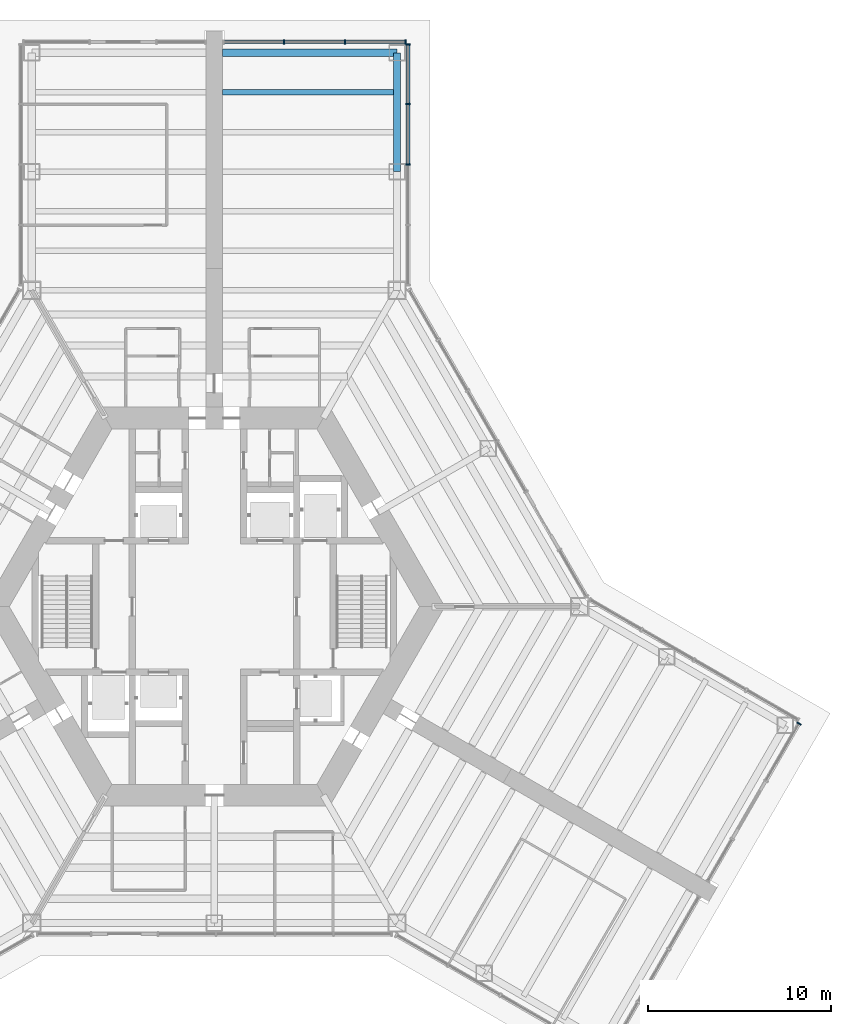
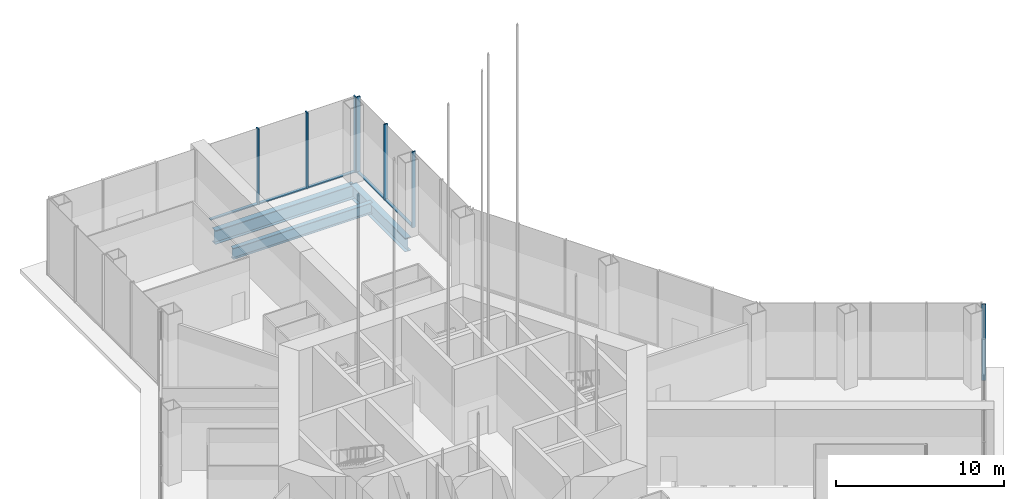
# One storey, part 7 of 18: 12 members, 3 beams, 3 elements without a shape of their own.
"""IFC4 building model written with IfcOpenShell, lengths in metres."""

from ifc_helpers import new_model, si_unit, direction, frame, origin, origin_2d, place, context, subcontext, project, spatial, rectangle, i_section, extrude, material, material_profile, profile_set, type_object, element, aggregate, save


model = new_model("IFC4")

# Units and contexts
model_context = context("Model", 3, precision=1e-05, world=origin(), true_north=direction((0.0, 1.0)))
body_context = subcontext(model_context, "Body", "Model", "MODEL_VIEW")
ifc_project = project(units=[si_unit("LENGTHUNIT", "METRE"), si_unit("AREAUNIT", "SQUARE_METRE"), si_unit("VOLUMEUNIT", "CUBIC_METRE"), si_unit("PLANEANGLEUNIT", "RADIAN"), si_unit("MASSUNIT", "GRAM", prefix="KILO")], contexts=[model_context])

# Site, building, storey
site_placement = place(None, origin())
site = spatial("IfcSite", under=ifc_project, at=site_placement, CompositionType="ELEMENT")
building_placement = place(site_placement, origin())
building = spatial("IfcBuilding", under=site, at=building_placement, Name="Kasaneha Research Tower", CompositionType="ELEMENT")
storey_placement = place(building_placement, origin())
storey = spatial("IfcBuildingStorey", under=building, at=storey_placement, Name="L01", CompositionType="ELEMENT", Elevation=0.0)

# Beam
ifc_material_1 = material(Name="Steel SN490B", Category="steel")
ifc_material_profile_1 = material_profile(ifc_material_1, i_section(OverallWidth=0.300048828125, OverallDepth=0.800048828125, WebThickness=0.013916015625, FlangeThickness=0.02587890625, FilletRadius=0.01806640625, at=origin_2d()), Name="H-800x300x14x26")
ifc_profile_set_1 = profile_set([ifc_material_profile_1], Name="Steel SN490B")
beam_type_1 = type_object("IfcBeamType", Name="B2-0 secondary beam H-800x300x14x26", PredefinedType="JOIST", material=ifc_profile_set_1)
beam_1_placement = place(storey_placement, frame((10.0, 28.15380859375, -0.699951171875), z_axis=(-1.0, 0.0, 0.0), x_axis=(0.0, -1.0, 0.0)))
element("IfcBeam", 1, at=beam_1_placement, inside=storey, type_object=beam_type_1, Name="Secondary beam WBAP4 L01", PredefinedType="JOIST", context=body_context, shape_type="SweptSolid", body=[
    extrude(i_section(OverallWidth=0.300048828125, OverallDepth=0.800048828125, WebThickness=0.013916015625, FlangeThickness=0.02587890625, FilletRadius=0.01806640625, at=origin_2d()), origin(), (0.0, 0.0, 1.0), 9.550048828125),
])

# Curtain wall, member
ifc_material_2 = material(Name="Glass and aluminium", Category="aluminium")
curtain_wall_type = type_object("IfcCurtainWallType", Name="Entrance hall curtain wall", PredefinedType="USERDEFINED", material=ifc_material_2)
curtain_wall_1_placement = place(storey_placement, origin())
curtain_wall_1 = element("IfcCurtainWall", 2, at=curtain_wall_1_placement, inside=storey, type_object=curtain_wall_type, Name="CW-H L01 run 05c", ObjectType="UNITISED CURTAIN WALL", PredefinedType="USERDEFINED")
ifc_material_3 = material(Name="Aluminium 6063-T6", Category="aluminium")
ifc_material_profile_2 = material_profile(ifc_material_3, rectangle(XDim=0.080078125, YDim=0.25, at=origin_2d()), Name="CW-H mullion 80x250")
ifc_profile_set_2 = profile_set([ifc_material_profile_2], Name="Aluminium 6063-T6")
member_type_1 = type_object("IfcMemberType", Name="CW-H mullion", PredefinedType="MULLION", material=ifc_profile_set_2)
member_1_placement = place(storey_placement, frame((32.008056640625, -6.401611328125, 0.0), z_axis=(0.0, 0.0, 1.0), x_axis=(0.500000011442, 0.866025397178, 0.0)))
member_1 = element("IfcMember", 3, at=member_1_placement, type_object=member_type_1, Name="CW-H mullion 2", PredefinedType="MULLION", context=body_context, shape_type="SweptSolid", body=[
    extrude(rectangle(XDim=0.080078125, YDim=0.25, at=origin_2d()), origin(), (0.0, 0.0, 1.0), 5.5),
])
aggregate(curtain_wall_1, [member_1])

# Curtain wall, members
curtain_wall_2_placement = place(storey_placement, origin())
curtain_wall_2 = element("IfcCurtainWall", 4, at=curtain_wall_2_placement, inside=storey, type_object=curtain_wall_type, Name="CW-H L01 run 08a", ObjectType="UNITISED CURTAIN WALL", PredefinedType="USERDEFINED")
member_2_placement = place(storey_placement, frame((10.60009765625, 24.200927734375, 0.0), z_axis=(0.0, 0.0, 1.0), x_axis=(0.0, 1.0, 0.0)))
member_2 = element("IfcMember", 5, at=member_2_placement, type_object=member_type_1, Name="CW-H mullion 3", PredefinedType="MULLION", context=body_context, shape_type="SweptSolid", body=[
    extrude(rectangle(XDim=0.080078125, YDim=0.25, at=origin_2d()), origin(), (0.0, 0.0, 1.0), 5.5),
])
member_3_placement = place(storey_placement, frame((10.60009765625, 27.5107421875, 0.0), z_axis=(0.0, 0.0, 1.0), x_axis=(0.0, 1.0, 0.0)))
member_3 = element("IfcMember", 6, at=member_3_placement, type_object=member_type_1, Name="CW-H mullion 4", PredefinedType="MULLION", context=body_context, shape_type="SweptSolid", body=[
    extrude(rectangle(XDim=0.080078125, YDim=0.25, at=origin_2d()), origin(), (0.0, 0.0, 1.0), 5.5),
])
member_4_placement = place(storey_placement, frame((10.60009765625, 30.780517578125, 0.0), z_axis=(0.0, 0.0, 1.0), x_axis=(0.0, 1.0, 0.0)))
member_4 = element("IfcMember", 7, at=member_4_placement, type_object=member_type_1, Name="CW-H mullion 5", PredefinedType="MULLION", context=body_context, shape_type="SweptSolid", body=[
    extrude(rectangle(XDim=0.080078125, YDim=0.25, at=origin_2d()), origin(), (0.0, 0.0, 1.0), 5.5),
])

curtain_wall_3_placement = place(storey_placement, origin())
curtain_wall_3 = element("IfcCurtainWall", 8, at=curtain_wall_3_placement, inside=storey, type_object=curtain_wall_type, Name="CW-H L01 run 09a", ObjectType="UNITISED CURTAIN WALL", PredefinedType="USERDEFINED")
member_5_placement = place(storey_placement, frame((10.4599609375, 30.92041015625, 0.0), z_axis=(0.0, 0.0, 1.0), x_axis=(-1.0, 0.0, 0.0)))
member_5 = element("IfcMember", 9, at=member_5_placement, type_object=member_type_1, Name="CW-H mullion 1", PredefinedType="MULLION", context=body_context, shape_type="SweptSolid", body=[
    extrude(rectangle(XDim=0.080078125, YDim=0.25, at=origin_2d()), origin(), (0.0, 0.0, 1.0), 5.5),
])
member_6_placement = place(storey_placement, frame((7.14990234375, 30.92041015625, 0.0), z_axis=(0.0, 0.0, 1.0), x_axis=(-1.0, 0.0, 0.0)))
member_6 = element("IfcMember", 10, at=member_6_placement, type_object=member_type_1, Name="CW-H mullion 2", PredefinedType="MULLION", context=body_context, shape_type="SweptSolid", body=[
    extrude(rectangle(XDim=0.080078125, YDim=0.25, at=origin_2d()), origin(), (0.0, 0.0, 1.0), 5.5),
])
member_7_placement = place(storey_placement, frame((3.800048828125, 30.92041015625, 0.0), z_axis=(0.0, 0.0, 1.0), x_axis=(-1.0, 0.0, 0.0)))
member_7 = element("IfcMember", 11, at=member_7_placement, type_object=member_type_1, Name="CW-H mullion 3", PredefinedType="MULLION", context=body_context, shape_type="SweptSolid", body=[
    extrude(rectangle(XDim=0.080078125, YDim=0.25, at=origin_2d()), origin(), (0.0, 0.0, 1.0), 5.5),
])

# Member
ifc_material_4 = material(Name="Aluminium 6063-T6", Category="aluminium")
ifc_material_profile_3 = material_profile(ifc_material_4, rectangle(XDim=0.199951171875, YDim=0.080078125, at=origin_2d()), Name="CW-H transom 200x80")
ifc_profile_set_3 = profile_set([ifc_material_profile_3], Name="Aluminium 6063-T6")
member_type_2 = type_object("IfcMemberType", Name="CW-H transom", PredefinedType="USERDEFINED", material=ifc_profile_set_3)
member_8_placement = place(storey_placement, frame((10.60009765625, 24.240966796875, 0.0400390625), z_axis=(0.0, 1.0, 0.0), x_axis=(-1.0, 0.0, 0.0)))
member_8 = element("IfcMember", 12, at=member_8_placement, type_object=member_type_2, Name="CW-H transom 3", ObjectType="TRANSOM", PredefinedType="USERDEFINED", context=body_context, shape_type="SweptSolid", body=[
    extrude(rectangle(XDim=0.199951171875, YDim=0.080078125, at=origin_2d()), origin(), (0.0, 0.0, 1.0), 3.229736328125),
])

member_9_placement = place(storey_placement, frame((10.60009765625, 27.55078125, 0.0400390625), z_axis=(0.0, 1.0, 0.0), x_axis=(-1.0, 0.0, 0.0)))
member_9 = element("IfcMember", 13, at=member_9_placement, type_object=member_type_2, Name="CW-H transom 4", ObjectType="TRANSOM", PredefinedType="USERDEFINED", context=body_context, shape_type="SweptSolid", body=[
    extrude(rectangle(XDim=0.199951171875, YDim=0.080078125, at=origin_2d()), origin(), (0.0, 0.0, 1.0), 3.189697265625),
])

aggregate(curtain_wall_2, [member_2, member_3, member_4, member_8, member_9])

member_10_placement = place(storey_placement, frame((10.419921875, 30.92041015625, 0.0400390625), z_axis=(-1.0, 0.0, 0.0), x_axis=(0.0, -1.0, 0.0)))
member_10 = element("IfcMember", 14, at=member_10_placement, type_object=member_type_2, Name="CW-H transom 1", ObjectType="TRANSOM", PredefinedType="USERDEFINED", context=body_context, shape_type="SweptSolid", body=[
    extrude(rectangle(XDim=0.199951171875, YDim=0.080078125, at=origin_2d()), origin(), (0.0, 0.0, 1.0), 3.22998046875),
])

member_11_placement = place(storey_placement, frame((7.110107421875, 30.92041015625, 0.0400390625), z_axis=(-1.0, 0.0, 0.0), x_axis=(0.0, -1.0, 0.0)))
member_11 = element("IfcMember", 15, at=member_11_placement, type_object=member_type_2, Name="CW-H transom 2", ObjectType="TRANSOM", PredefinedType="USERDEFINED", context=body_context, shape_type="SweptSolid", body=[
    extrude(rectangle(XDim=0.199951171875, YDim=0.080078125, at=origin_2d()), origin(), (0.0, 0.0, 1.0), 3.27001953125),
])

member_12_placement = place(storey_placement, frame((3.760009765625, 30.92041015625, 0.0400390625), z_axis=(-1.0, 0.0, 0.0), x_axis=(0.0, -1.0, 0.0)))
member_12 = element("IfcMember", 16, at=member_12_placement, type_object=member_type_2, Name="CW-H transom 3", ObjectType="TRANSOM", PredefinedType="USERDEFINED", context=body_context, shape_type="SweptSolid", body=[
    extrude(rectangle(XDim=0.199951171875, YDim=0.080078125, at=origin_2d()), origin(), (0.0, 0.0, 1.0), 3.22998046875),
])

aggregate(curtain_wall_3, [member_5, member_6, member_7, member_10, member_11, member_12])

# Beams
ifc_material_5 = material(Name="Steel SN490B", Category="steel")
ifc_material_profile_4 = material_profile(ifc_material_5, i_section(OverallWidth=0.39990234375, OverallDepth=1.0, WebThickness=0.01904296875, FlangeThickness=0.035888671875, at=origin_2d()), Name="BH-1000x400x19x36")
ifc_profile_set_4 = profile_set([ifc_material_profile_4], Name="Steel SN490B")
beam_type_2 = type_object("IfcBeamType", Name="SB2-0 spandrel beam BH-1000x400x19x36", PredefinedType="SPANDREL", material=ifc_profile_set_4)
beam_2_placement = place(storey_placement, frame((10.0, 23.820556640625, -0.800048828125), z_axis=(0.0, 1.0, 0.0), x_axis=(-1.0, 0.0, 0.0)))
element("IfcBeam", 17, at=beam_2_placement, inside=storey, type_object=beam_type_2, Name="Spandrel beam WSAP2 L01", PredefinedType="SPANDREL", context=body_context, shape_type="SweptSolid", body=[
    extrude(i_section(OverallWidth=0.39990234375, OverallDepth=1.0, WebThickness=0.01904296875, FlangeThickness=0.035888671875, at=origin_2d()), origin(), (0.0, 0.0, 1.0), 6.5),
])
ifc_material_6 = material(Name="Steel SN490B", Category="steel")
ifc_material_profile_5 = material_profile(ifc_material_6, i_section(OverallWidth=0.39990234375, OverallDepth=1.0, WebThickness=0.02197265625, FlangeThickness=0.0400390625, at=origin_2d()), Name="BH-1000x400x22x40")
ifc_profile_set_5 = profile_set([ifc_material_profile_5], Name="Steel SN490B")
beam_type_3 = type_object("IfcBeamType", Name="SB3-0 spandrel beam BH-1000x400x22x40", PredefinedType="SPANDREL", material=ifc_profile_set_5)
beam_3_placement = place(storey_placement, frame((10.0, 30.320556640625, -0.800048828125), z_axis=(-1.0, 0.0, 0.0), x_axis=(0.0, -1.0, 0.0)))
element("IfcBeam", 18, at=beam_3_placement, inside=storey, type_object=beam_type_3, Name="Spandrel beam WTAP L01", PredefinedType="SPANDREL", context=body_context, shape_type="SweptSolid", body=[
    extrude(i_section(OverallWidth=0.39990234375, OverallDepth=1.0, WebThickness=0.02197265625, FlangeThickness=0.0400390625, at=origin_2d()), origin(), (0.0, 0.0, 1.0), 9.550048828125),
])

save(model, "model.ifc")
